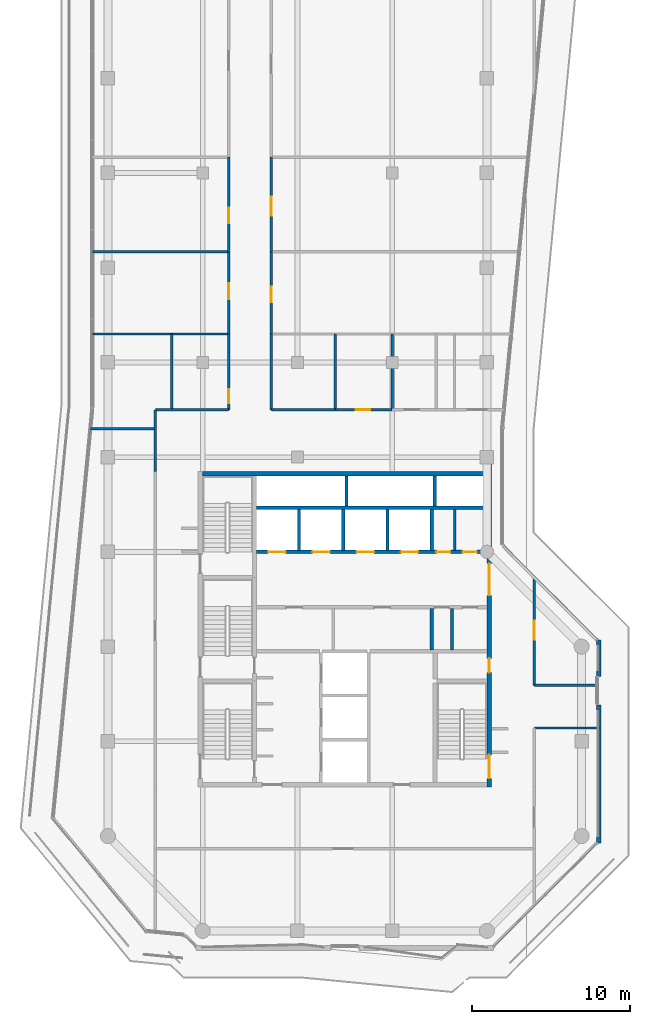
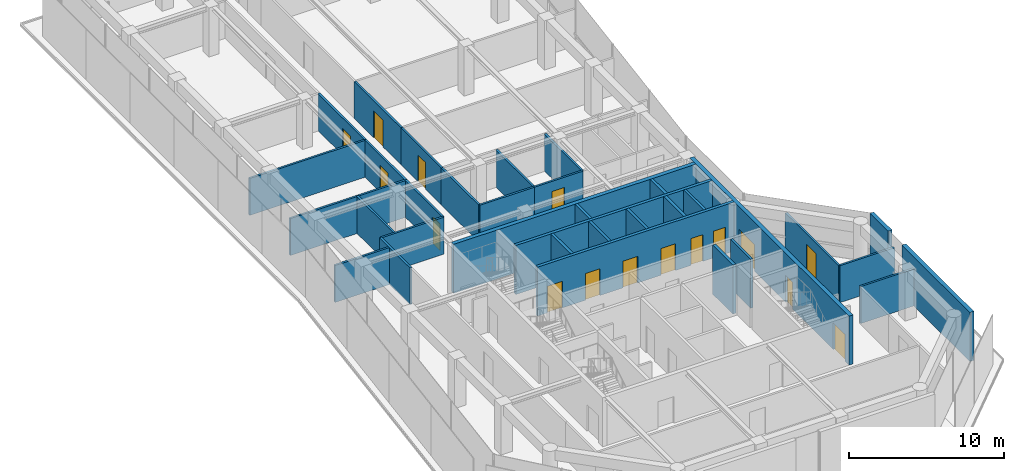
# One storey, part 22 of 25: 34 walls, 16 doors, 16 openings.
"""IFC4 building model written with IfcOpenShell, lengths in metres."""

from ifc_helpers import new_model, si_unit, direction, frame, frame_2d, origin, place, context, subcontext, project, spatial, rectangle, extrude, material, layer, layer_set, type_object, element, fill, save


model = new_model("IFC4")

# Units and contexts
model_context = context("Model", 3, precision=1e-05, world=origin(), true_north=direction((0.0, 1.0)))
body_context = subcontext(model_context, "Body", "Model", "MODEL_VIEW")
ifc_project = project(units=[si_unit("LENGTHUNIT", "METRE"), si_unit("AREAUNIT", "SQUARE_METRE"), si_unit("VOLUMEUNIT", "CUBIC_METRE"), si_unit("PLANEANGLEUNIT", "RADIAN"), si_unit("MASSUNIT", "GRAM", prefix="KILO")], contexts=[model_context])

# Site, building, storey
site_placement = place(None, origin())
site = spatial("IfcSite", under=ifc_project, at=site_placement, CompositionType="ELEMENT")
building_placement = place(site_placement, origin())
building = spatial("IfcBuilding", under=site, at=building_placement, Name="Welwitschia Terrace Campus", CompositionType="ELEMENT")
storey_placement = place(building_placement, frame((0.0, 0.0, 264.199951171875)))
storey = spatial("IfcBuildingStorey", under=building, at=storey_placement, Name="L58", CompositionType="ELEMENT", Elevation=264.199951171875)

# Walls
ifc_material_1 = material(Name="Concrete C32/40", Category="concrete")
ifc_layer_1 = layer(ifc_material_1, 0.175048828125)
ifc_layer_set_1 = layer_set([ifc_layer_1], Name="Concrete C32/40")
wall_type_1 = type_object("IfcWallType", Name="Core partition 175 Concrete C32/40", PredefinedType="PARTITIONING", material=ifc_layer_set_1)
for number, where, z_axis, x_axis, name in (
    (1, (21.7900390625, 13.800048828125, 0.0), (0.0, 0.0, 1.0), (0.0, 1.0, 0.0), "Core partition"),
    (2, (21.9599609375, 20.10009765625, 0.0), (0.0, 0.0, 1.0), (0.0, 1.0, 0.0), "Core partition"),
):
    element("IfcWall", number, at=place(storey_placement, frame(where, z_axis=z_axis, x_axis=x_axis)), inside=storey, type_object=wall_type_1, Name=name, PredefinedType="PARTITIONING", context=body_context, shape_type="SweptSolid", body=[
        extrude(rectangle(XDim=2.599853515625, YDim=0.175048828125, at=frame_2d((1.2998046875, 0.0))), origin(), (0.0, 0.0, 1.0), 3.85009765625),
    ])

# Wall, openings, doors
ifc_material_2 = material(Name="Concrete C32/40", Category="concrete")
ifc_layer_2 = layer(ifc_material_2, 0.22509765625)
ifc_layer_set_2 = layer_set([ifc_layer_2], Name="Concrete C32/40")
wall_type_2 = type_object("IfcWallType", Name="Core partition 225 Concrete C32/40", PredefinedType="PARTITIONING", material=ifc_layer_set_2)
wall_1_placement = place(storey_placement, frame((24.0, 20.0, 0.0), z_axis=(0.0, 0.0, 1.0), x_axis=(-1.0, 0.0, 0.0)))
wall_1 = element("IfcWall", 3, at=wall_1_placement, inside=storey, type_object=wall_type_2, Name="Shaft wall", PredefinedType="PARTITIONING", context=body_context, shape_type="SweptSolid", body=[
    extrude(rectangle(XDim=14.60009765625, YDim=0.22509765625, at=frame_2d((7.300048828125, 0.0))), origin(), (0.0, 0.0, 1.0), 3.85009765625),
])
opening_1_placement = place(wall_1_placement, frame((12.75, 0.0, 0.0)))
opening_1 = element("IfcOpeningElement", 4, at=opening_1_placement, cuts=wall_1, Name="Opening LD", PredefinedType="OPENING", context=body_context, shape_type="SweptSolid", body=[
    extrude(rectangle(XDim=1.10009765625, YDim=2.10009765625, at=frame_2d((0.550048828125, 1.050048828125))), frame((0.0, 0.12255859375, 0.0), z_axis=(0.0, -1.0, 0.0), x_axis=(1.0, 0.0, 0.0)), (0.0, 0.0, 1.0), 0.2451171875),
])
opening_2_placement = place(wall_1_placement, frame((9.949951171875, 0.0, 0.0)))
opening_2 = element("IfcOpeningElement", 5, at=opening_2_placement, cuts=wall_1, Name="Opening LD", PredefinedType="OPENING", context=body_context, shape_type="SweptSolid", body=[
    extrude(rectangle(XDim=1.10009765625, YDim=2.10009765625, at=frame_2d((0.550048828125, 1.050048828125))), frame((0.0, 0.12255859375, 0.0), z_axis=(0.0, -1.0, 0.0), x_axis=(1.0, 0.0, 0.0)), (0.0, 0.0, 1.0), 0.2451171875),
])
opening_3_placement = place(wall_1_placement, frame((7.14990234375, 0.0, 0.0)))
opening_3 = element("IfcOpeningElement", 6, at=opening_3_placement, cuts=wall_1, Name="Opening LD", PredefinedType="OPENING", context=body_context, shape_type="SweptSolid", body=[
    extrude(rectangle(XDim=1.10009765625, YDim=2.10009765625, at=frame_2d((0.550048828125, 1.050048828125))), frame((0.0, 0.12255859375, 0.0), z_axis=(0.0, -1.0, 0.0), x_axis=(1.0, 0.0, 0.0)), (0.0, 0.0, 1.0), 0.2451171875),
])
opening_4_placement = place(wall_1_placement, frame((4.35009765625, 0.0, 0.0)))
opening_4 = element("IfcOpeningElement", 7, at=opening_4_placement, cuts=wall_1, Name="Opening LD", PredefinedType="OPENING", context=body_context, shape_type="SweptSolid", body=[
    extrude(rectangle(XDim=1.10009765625, YDim=2.10009765625, at=frame_2d((0.550048828125, 1.050048828125))), frame((0.0, 0.12255859375, 0.0), z_axis=(0.0, -1.0, 0.0), x_axis=(1.0, 0.0, 0.0)), (0.0, 0.0, 1.0), 0.2451171875),
])
opening_5_placement = place(wall_1_placement, frame((2.3076171875, 0.0, 0.0)))
opening_5 = element("IfcOpeningElement", 8, at=opening_5_placement, cuts=wall_1, Name="Opening DR09", PredefinedType="OPENING", context=body_context, shape_type="SweptSolid", body=[
    extrude(rectangle(XDim=0.89990234375, YDim=2.10009765625, at=frame_2d((0.449951171875, 1.050048828125))), frame((0.0, 0.12255859375, 0.0), z_axis=(0.0, -1.0, 0.0), x_axis=(1.0, 0.0, 0.0)), (0.0, 0.0, 1.0), 0.2451171875),
])
opening_6_placement = place(wall_1_placement, frame((0.633056640625, 0.0, 0.0)))
opening_6 = element("IfcOpeningElement", 9, at=opening_6_placement, cuts=wall_1, Name="Opening DR09", PredefinedType="OPENING", context=body_context, shape_type="SweptSolid", body=[
    extrude(rectangle(XDim=0.89990234375, YDim=2.10009765625, at=frame_2d((0.449951171875, 1.050048828125))), frame((0.0, 0.12255859375, 0.0), z_axis=(0.0, -1.0, 0.0), x_axis=(1.0, 0.0, 0.0)), (0.0, 0.0, 1.0), 0.2451171875),
])
ifc_material_3 = material(Name="Steel S275", Category="steel")
door_type_1 = type_object("IfcDoorType", Name="Core door DR09", OperationType="SINGLE_SWING_LEFT", PredefinedType="DOOR", material=ifc_material_3)
door_1_placement = place(opening_5_placement, origin())
door_1 = element("IfcDoor", 10, at=door_1_placement, inside=storey, type_object=door_type_1, Name="Door EH1-D", OperationType="SINGLE_SWING_LEFT", OverallHeight=2.10009765625, OverallWidth=0.89990234375, PredefinedType="DOOR", context=body_context, shape_type="SweptSolid", body=[
    extrude(rectangle(XDim=0.89990234375, YDim=2.10009765625, at=frame_2d((0.449951171875, 1.050048828125))), frame((0.0, 0.02490234375, 0.0), z_axis=(0.0, -1.0, 0.0), x_axis=(1.0, 0.0, 0.0)), (0.0, 0.0, 1.0), 0.050048828125),
])
fill(opening_5, door_1)
door_2_placement = place(opening_6_placement, origin())
door_2 = element("IfcDoor", 11, at=door_2_placement, inside=storey, type_object=door_type_1, Name="Door EH2-D", OperationType="SINGLE_SWING_LEFT", OverallHeight=2.10009765625, OverallWidth=0.89990234375, PredefinedType="DOOR", context=body_context, shape_type="SweptSolid", body=[
    extrude(rectangle(XDim=0.89990234375, YDim=2.10009765625, at=frame_2d((0.449951171875, 1.050048828125))), frame((0.0, 0.02490234375, 0.0), z_axis=(0.0, -1.0, 0.0), x_axis=(1.0, 0.0, 0.0)), (0.0, 0.0, 1.0), 0.050048828125),
])
fill(opening_6, door_2)
ifc_material_4 = material(Name="Stainless steel 304", Category="steel")
door_type_2 = type_object("IfcDoorType", Name="Lift landing door", OperationType="DOUBLE_DOOR_SLIDING", PredefinedType="DOOR", material=ifc_material_4)
door_3_placement = place(opening_1_placement, origin())
door_3 = element("IfcDoor", 12, at=door_3_placement, inside=storey, type_object=door_type_2, Name="Landing door HR1", OperationType="DOUBLE_DOOR_SLIDING", OverallHeight=2.10009765625, OverallWidth=1.10009765625, PredefinedType="DOOR", context=body_context, shape_type="SweptSolid", body=[
    extrude(rectangle(XDim=1.10009765625, YDim=2.10009765625, at=frame_2d((0.550048828125, 1.050048828125))), frame((0.0, 0.02490234375, 0.0), z_axis=(0.0, -1.0, 0.0), x_axis=(1.0, 0.0, 0.0)), (0.0, 0.0, 1.0), 0.050048828125),
])
fill(opening_1, door_3)
door_4_placement = place(opening_2_placement, origin())
door_4 = element("IfcDoor", 13, at=door_4_placement, inside=storey, type_object=door_type_2, Name="Landing door HR2", OperationType="DOUBLE_DOOR_SLIDING", OverallHeight=2.10009765625, OverallWidth=1.10009765625, PredefinedType="DOOR", context=body_context, shape_type="SweptSolid", body=[
    extrude(rectangle(XDim=1.10009765625, YDim=2.10009765625, at=frame_2d((0.550048828125, 1.050048828125))), frame((0.0, 0.02490234375, 0.0), z_axis=(0.0, -1.0, 0.0), x_axis=(1.0, 0.0, 0.0)), (0.0, 0.0, 1.0), 0.050048828125),
])
fill(opening_2, door_4)
door_5_placement = place(opening_3_placement, origin())
door_5 = element("IfcDoor", 14, at=door_5_placement, inside=storey, type_object=door_type_2, Name="Landing door HR3", OperationType="DOUBLE_DOOR_SLIDING", OverallHeight=2.10009765625, OverallWidth=1.10009765625, PredefinedType="DOOR", context=body_context, shape_type="SweptSolid", body=[
    extrude(rectangle(XDim=1.10009765625, YDim=2.10009765625, at=frame_2d((0.550048828125, 1.050048828125))), frame((0.0, 0.02490234375, 0.0), z_axis=(0.0, -1.0, 0.0), x_axis=(1.0, 0.0, 0.0)), (0.0, 0.0, 1.0), 0.050048828125),
])
fill(opening_3, door_5)
door_6_placement = place(opening_4_placement, origin())
door_6 = element("IfcDoor", 15, at=door_6_placement, inside=storey, type_object=door_type_2, Name="Landing door HR4", OperationType="DOUBLE_DOOR_SLIDING", OverallHeight=2.10009765625, OverallWidth=1.10009765625, PredefinedType="DOOR", context=body_context, shape_type="SweptSolid", body=[
    extrude(rectangle(XDim=1.10009765625, YDim=2.10009765625, at=frame_2d((0.550048828125, 1.050048828125))), frame((0.0, 0.02490234375, 0.0), z_axis=(0.0, -1.0, 0.0), x_axis=(1.0, 0.0, 0.0)), (0.0, 0.0, 1.0), 0.050048828125),
])
fill(opening_4, door_6)

# Walls
wall_2_placement = place(storey_placement, frame((9.39990234375, 22.800048828125, 0.0), z_axis=(0.0, 0.0, 1.0), x_axis=(1.0, 0.0, 0.0)))
element("IfcWall", 16, at=wall_2_placement, inside=storey, type_object=wall_type_2, Name="Shaft wall", PredefinedType="PARTITIONING", context=body_context, shape_type="SweptSolid", body=[
    extrude(rectangle(XDim=14.60009765625, YDim=0.22509765625, at=frame_2d((7.300048828125, 0.0))), origin(), (0.0, 0.0, 1.0), 3.85009765625),
])
for number, where, z_axis, x_axis, name in (
    (17, (20.5, 13.800048828125, 0.0), (0.0, 0.0, 1.0), (0.0, 1.0, 0.0), "Core partition"),
    (18, (20.5, 20.10009765625, 0.0), (0.0, 0.0, 1.0), (0.0, 1.0, 0.0), "Shaft wall"),
):
    element("IfcWall", number, at=place(storey_placement, frame(where, z_axis=z_axis, x_axis=x_axis)), inside=storey, type_object=wall_type_2, Name=name, PredefinedType="PARTITIONING", context=body_context, shape_type="SweptSolid", body=[
        extrude(rectangle(XDim=2.599853515625, YDim=0.22509765625, at=frame_2d((1.2998046875, 0.0))), origin(), (0.0, 0.0, 1.0), 3.85009765625),
    ])
ifc_material_5 = material(Name="Concrete C50/60", Category="concrete")
ifc_layer_3 = layer(ifc_material_5, 0.199951171875)
ifc_layer_set_3 = layer_set([ifc_layer_3], Name="Concrete C50/60")
wall_type_3 = type_object("IfcWallType", Name="Core wall 200 Concrete C50/60", PredefinedType="SHEAR", material=ifc_layer_set_3)
for number, where, z_axis, x_axis, name in (
    (19, (15.10009765625, 22.89990234375, 0.0), (0.0, 0.0, 1.0), (0.0, 1.0, 0.0), "Core wall"),
    (20, (20.699951171875, 22.89990234375, 0.0), (0.0, 0.0, 1.0), (0.0, 1.0, 0.0), "Core wall"),
):
    element("IfcWall", number, at=place(storey_placement, frame(where, z_axis=z_axis, x_axis=x_axis)), inside=storey, type_object=wall_type_3, Name=name, PredefinedType="SHEAR", context=body_context, shape_type="SweptSolid", body=[
        extrude(rectangle(XDim=1.900146484375, YDim=0.199951171875, at=frame_2d((0.9501953125, 0.0))), origin(), (0.0, 0.0, 1.0), 3.85009765625),
    ])

# Wall, openings, doors
ifc_material_6 = material(Name="Concrete C50/60", Category="concrete")
ifc_layer_4 = layer(ifc_material_6, 0.300048828125)
ifc_layer_set_4 = layer_set([ifc_layer_4], Name="Concrete C50/60")
wall_type_4 = type_object("IfcWallType", Name="Core wall 300 Concrete C50/60", PredefinedType="SHEAR", material=ifc_layer_set_4)
wall_3_placement = place(storey_placement, frame((24.14990234375, 25.60498046875, 0.0), z_axis=(0.0, 0.0, 1.0), x_axis=(0.0, -1.0, 0.0)))
wall_3 = element("IfcWall", 21, at=wall_3_placement, inside=storey, type_object=wall_type_4, Name="Core outer wall", PredefinedType="SHEAR", context=body_context, shape_type="SweptSolid", body=[
    extrude(rectangle(XDim=20.5048828125, YDim=0.300048828125, at=frame_2d((10.25244140625, 0.0))), origin(), (0.0, 0.0, 1.0), 3.85009765625),
])
opening_7_placement = place(wall_3_placement, frame((18.455078125, 0.0, 0.0)))
opening_7 = element("IfcOpeningElement", 22, at=opening_7_placement, cuts=wall_3, Name="Opening DS15", PredefinedType="OPENING", context=body_context, shape_type="SweptSolid", body=[
    extrude(rectangle(XDim=1.5, YDim=2.10009765625, at=frame_2d((0.75, 1.050048828125))), frame((0.0, 0.159912109375, 0.0), z_axis=(0.0, -1.0, 0.0), x_axis=(1.0, 0.0, 0.0)), (0.0, 0.0, 1.0), 0.320068359375),
])
opening_8_placement = place(wall_3_placement, frame((12.35498046875, 0.0, 0.0)))
opening_8 = element("IfcOpeningElement", 23, at=opening_8_placement, cuts=wall_3, Name="Opening DR09", PredefinedType="OPENING", context=body_context, shape_type="SweptSolid", body=[
    extrude(rectangle(XDim=0.89990234375, YDim=2.10009765625, at=frame_2d((0.449951171875, 1.050048828125))), frame((0.0, 0.159912109375, 0.0), z_axis=(0.0, -1.0, 0.0), x_axis=(1.0, 0.0, 0.0)), (0.0, 0.0, 1.0), 0.320068359375),
])
opening_9_placement = place(wall_3_placement, frame((6.35498046875, 0.0, 0.0)))
opening_9 = element("IfcOpeningElement", 24, at=opening_9_placement, cuts=wall_3, Name="Opening DL20", PredefinedType="OPENING", context=body_context, shape_type="SweptSolid", body=[
    extrude(rectangle(XDim=2.0, YDim=2.10009765625, at=frame_2d((1.0, 1.050048828125))), frame((0.0, 0.159912109375, 0.0), z_axis=(0.0, -1.0, 0.0), x_axis=(1.0, 0.0, 0.0)), (0.0, 0.0, 1.0), 0.320068359375),
])
ifc_material_7 = material(Name="Steel S275", Category="steel")
door_type_3 = type_object("IfcDoorType", Name="Core door DL20", OperationType="DOUBLE_DOOR_SINGLE_SWING", PredefinedType="DOOR", material=ifc_material_7)
door_7_placement = place(opening_9_placement, origin())
door_7 = element("IfcDoor", 25, at=door_7_placement, inside=storey, type_object=door_type_3, Name="Door LOBBY-out", OperationType="DOUBLE_DOOR_SINGLE_SWING", OverallHeight=2.10009765625, OverallWidth=2.0, PredefinedType="DOOR", context=body_context, shape_type="SweptSolid", body=[
    extrude(rectangle(XDim=2.0, YDim=2.10009765625, at=frame_2d((1.0, 1.050048828125))), frame((0.0, 0.02490234375, 0.0), z_axis=(0.0, -1.0, 0.0), x_axis=(1.0, 0.0, 0.0)), (0.0, 0.0, 1.0), 0.050048828125),
])
fill(opening_9, door_7)
door_8_placement = place(opening_8_placement, origin())
door_8 = element("IfcDoor", 26, at=door_8_placement, inside=storey, type_object=door_type_1, Name="Door F1B-out", OperationType="SINGLE_SWING_RIGHT", OverallHeight=2.10009765625, OverallWidth=0.89990234375, PredefinedType="DOOR", context=body_context, shape_type="SweptSolid", body=[
    extrude(rectangle(XDim=0.89990234375, YDim=2.10009765625, at=frame_2d((0.449951171875, 1.050048828125))), frame((0.0, 0.02490234375, 0.0), z_axis=(0.0, -1.0, 0.0), x_axis=(1.0, 0.0, 0.0)), (0.0, 0.0, 1.0), 0.050048828125),
])
fill(opening_8, door_8)
ifc_material_8 = material(Name="Steel S275", Category="steel")
door_type_4 = type_object("IfcDoorType", Name="Core door DS15", OperationType="DOUBLE_DOOR_SINGLE_SWING", PredefinedType="DOOR", material=ifc_material_8)
door_9_placement = place(opening_7_placement, origin())
door_9 = element("IfcDoor", 27, at=door_9_placement, inside=storey, type_object=door_type_4, Name="Door S2-out", OperationType="DOUBLE_DOOR_SINGLE_SWING", OverallHeight=2.10009765625, OverallWidth=1.5, PredefinedType="DOOR", context=body_context, shape_type="SweptSolid", body=[
    extrude(rectangle(XDim=1.5, YDim=2.10009765625, at=frame_2d((0.75, 1.050048828125))), frame((0.0, 0.02490234375, 0.0), z_axis=(0.0, -1.0, 0.0), x_axis=(1.0, 0.0, 0.0)), (0.0, 0.0, 1.0), 0.050048828125),
])
fill(opening_7, door_9)

# Walls
wall_4_placement = place(storey_placement, frame((6.0, 24.949951171875, 0.0), z_axis=(0.0, 0.0, 1.0), x_axis=(1.0, 0.0, 0.0)))
element("IfcWall", 28, at=wall_4_placement, inside=storey, type_object=wall_type_4, Name="Core outer wall", PredefinedType="SHEAR", context=body_context, shape_type="SweptSolid", body=[
    extrude(rectangle(XDim=18.0, YDim=0.300048828125, at=frame_2d((9.0, 0.0))), origin(), (0.0, 0.0, 1.0), 3.85009765625),
])
ifc_material_9 = material(Name="Gypsum board on steel studs", Category="steel")
ifc_layer_5 = layer(ifc_material_9, 0.14990234375)
ifc_layer_set_5 = layer_set([ifc_layer_5], Name="Gypsum board on steel studs")
wall_type_5 = type_object("IfcWallType", Name="Corridor partition 150 EI 30", PredefinedType="PARTITIONING", material=ifc_layer_set_5)
wall_5_placement = place(storey_placement, frame((-1.110107421875, 27.800048828125, 0.0), z_axis=(0.0, 0.0, 1.0), x_axis=(1.0, 0.0, 0.0)))
element("IfcWall", 29, at=wall_5_placement, inside=storey, type_object=wall_type_5, Name="Partition", PredefinedType="PARTITIONING", context=body_context, shape_type="SweptSolid", body=[
    extrude(rectangle(XDim=4.110107421875, YDim=0.14990234375, at=frame_2d((2.05517578125, 0.0))), origin(), (0.0, 0.0, 1.0), 2.900146484375),
])
for number, where, z_axis, x_axis, name in (
    (30, (-0.97998046875, 33.800048828125, 0.0), (0.0, 0.0, 1.0), (1.0, 0.0, 0.0), "Partition"),
    (31, (-0.97998046875, 39.0, 0.0), (0.0, 0.0, 1.0), (1.0, 0.0, 0.0), "Partition"),
):
    element("IfcWall", number, at=place(storey_placement, frame(where, z_axis=z_axis, x_axis=x_axis)), inside=storey, type_object=wall_type_5, Name=name, PredefinedType="PARTITIONING", context=body_context, shape_type="SweptSolid", body=[
        extrude(rectangle(XDim=8.6298828125, YDim=0.14990234375, at=frame_2d((4.31494140625, 0.0))), origin(), (0.0, 0.0, 1.0), 2.900146484375),
    ])
wall_6_placement = place(storey_placement, frame((3.0, 25.10009765625, 0.0), z_axis=(0.0, 0.0, 1.0), x_axis=(0.0, 1.0, 0.0)))
element("IfcWall", 32, at=wall_6_placement, inside=storey, type_object=wall_type_5, Name="Partition", PredefinedType="PARTITIONING", context=body_context, shape_type="SweptSolid", body=[
    extrude(rectangle(XDim=3.89990234375, YDim=0.14990234375, at=frame_2d((1.949951171875, 0.0))), origin(), (0.0, 0.0, 1.0), 2.900146484375),
])
wall_7_placement = place(storey_placement, frame((3.0, 29.0, 0.0), z_axis=(0.0, 0.0, 1.0), x_axis=(1.0, 0.0, 0.0)))
element("IfcWall", 33, at=wall_7_placement, inside=storey, type_object=wall_type_5, Name="Partition", PredefinedType="PARTITIONING", context=body_context, shape_type="SweptSolid", body=[
    extrude(rectangle(XDim=4.64990234375, YDim=0.14990234375, at=frame_2d((2.324951171875, 0.0))), origin(), (0.0, 0.0, 1.0), 2.900146484375),
])
wall_8_placement = place(storey_placement, frame((4.050048828125, 29.0, 0.0), z_axis=(0.0, 0.0, 1.0), x_axis=(0.0, 1.0, 0.0)))
element("IfcWall", 34, at=wall_8_placement, inside=storey, type_object=wall_type_5, Name="Partition", PredefinedType="PARTITIONING", context=body_context, shape_type="SweptSolid", body=[
    extrude(rectangle(XDim=4.800048828125, YDim=0.14990234375, at=frame_2d((2.39990234375, 0.0))), origin(), (0.0, 0.0, 1.0), 2.900146484375),
])

# Wall, opening, door
wall_9_placement = place(storey_placement, frame((7.64990234375, 29.0, 0.0), z_axis=(0.0, 0.0, 1.0), x_axis=(0.0, 1.0, 0.0)))
wall_9 = element("IfcWall", 35, at=wall_9_placement, inside=storey, type_object=wall_type_5, Name="Partition", PredefinedType="PARTITIONING", context=body_context, shape_type="SweptSolid", body=[
    extrude(rectangle(XDim=4.800048828125, YDim=0.14990234375, at=frame_2d((2.39990234375, 0.0))), origin(), (0.0, 0.0, 1.0), 2.900146484375),
])
opening_10_placement = place(wall_9_placement, frame((0.39990234375, 0.0, 0.0)))
opening_10 = element("IfcOpeningElement", 36, at=opening_10_placement, cuts=wall_9, Name="Opening DI09", PredefinedType="OPENING", context=body_context, shape_type="SweptSolid", body=[
    extrude(rectangle(XDim=0.89990234375, YDim=2.10009765625, at=frame_2d((0.449951171875, 1.050048828125))), frame((0.0, 0.0849609375, 0.0), z_axis=(0.0, -1.0, 0.0), x_axis=(1.0, 0.0, 0.0)), (0.0, 0.0, 1.0), 0.169921875),
])
ifc_material_10 = material(Name="Timber veneered door", Category="wood")
door_type_5 = type_object("IfcDoorType", Name="Interior door DI09", OperationType="NOTDEFINED", PredefinedType="DOOR", material=ifc_material_10)
door_10_placement = place(opening_10_placement, origin())
door_10 = element("IfcDoor", 37, at=door_10_placement, inside=storey, type_object=door_type_5, Name="Door L58 1041", OperationType="SINGLE_SWING_RIGHT", OverallHeight=2.10009765625, OverallWidth=0.89990234375, PredefinedType="DOOR", context=body_context, shape_type="SweptSolid", body=[
    extrude(rectangle(XDim=0.89990234375, YDim=2.10009765625, at=frame_2d((0.449951171875, 1.050048828125))), frame((0.0, 0.02490234375, 0.0), z_axis=(0.0, -1.0, 0.0), x_axis=(1.0, 0.0, 0.0)), (0.0, 0.0, 1.0), 0.050048828125),
])
fill(opening_10, door_10)

wall_10_placement = place(storey_placement, frame((7.64990234375, 33.800048828125, 0.0), z_axis=(0.0, 0.0, 1.0), x_axis=(0.0, 1.0, 0.0)))
wall_10 = element("IfcWall", 38, at=wall_10_placement, inside=storey, type_object=wall_type_5, Name="Partition", PredefinedType="PARTITIONING", context=body_context, shape_type="SweptSolid", body=[
    extrude(rectangle(XDim=5.199951171875, YDim=0.14990234375, at=frame_2d((2.60009765625, 0.0))), origin(), (0.0, 0.0, 1.0), 2.900146484375),
])
opening_11_placement = place(wall_10_placement, frame((2.199951171875, 0.0, 0.0)))
opening_11 = element("IfcOpeningElement", 39, at=opening_11_placement, cuts=wall_10, Name="Opening DI10", PredefinedType="OPENING", context=body_context, shape_type="SweptSolid", body=[
    extrude(rectangle(XDim=1.0, YDim=2.10009765625, at=frame_2d((0.5, 1.050048828125))), frame((0.0, 0.0849609375, 0.0), z_axis=(0.0, -1.0, 0.0), x_axis=(1.0, 0.0, 0.0)), (0.0, 0.0, 1.0), 0.169921875),
])
ifc_material_11 = material(Name="Timber veneered door", Category="wood")
door_type_6 = type_object("IfcDoorType", Name="Interior door DI10", OperationType="NOTDEFINED", PredefinedType="DOOR", material=ifc_material_11)
door_11_placement = place(opening_11_placement, origin())
door_11 = element("IfcDoor", 40, at=door_11_placement, inside=storey, type_object=door_type_6, Name="Door L58 1042", OperationType="SINGLE_SWING_LEFT", OverallHeight=2.10009765625, OverallWidth=1.0, PredefinedType="DOOR", context=body_context, shape_type="SweptSolid", body=[
    extrude(rectangle(XDim=1.0, YDim=2.10009765625, at=frame_2d((0.5, 1.050048828125))), frame((0.0, 0.02490234375, 0.0), z_axis=(0.0, -1.0, 0.0), x_axis=(1.0, 0.0, 0.0)), (0.0, 0.0, 1.0), 0.050048828125),
])
fill(opening_11, door_11)

wall_11_placement = place(storey_placement, frame((7.64990234375, 39.0, 0.0), z_axis=(0.0, 0.0, 1.0), x_axis=(0.0, 1.0, 0.0)))
wall_11 = element("IfcWall", 41, at=wall_11_placement, inside=storey, type_object=wall_type_5, Name="Partition", PredefinedType="PARTITIONING", context=body_context, shape_type="SweptSolid", body=[
    extrude(rectangle(XDim=6.0, YDim=0.14990234375, at=frame_2d((3.0, 0.0))), origin(), (0.0, 0.0, 1.0), 2.900146484375),
])
opening_12_placement = place(wall_11_placement, frame((1.800048828125, 0.0, 0.0)))
opening_12 = element("IfcOpeningElement", 42, at=opening_12_placement, cuts=wall_11, Name="Opening DI10", PredefinedType="OPENING", context=body_context, shape_type="SweptSolid", body=[
    extrude(rectangle(XDim=1.0, YDim=2.10009765625, at=frame_2d((0.5, 1.050048828125))), frame((0.0, 0.0849609375, 0.0), z_axis=(0.0, -1.0, 0.0), x_axis=(1.0, 0.0, 0.0)), (0.0, 0.0, 1.0), 0.169921875),
])
door_12_placement = place(opening_12_placement, origin())
door_12 = element("IfcDoor", 43, at=door_12_placement, inside=storey, type_object=door_type_6, Name="Door L58 1043", OperationType="SINGLE_SWING_RIGHT", OverallHeight=2.10009765625, OverallWidth=1.0, PredefinedType="DOOR", context=body_context, shape_type="SweptSolid", body=[
    extrude(rectangle(XDim=1.0, YDim=2.10009765625, at=frame_2d((0.5, 1.050048828125))), frame((0.0, 0.02490234375, 0.0), z_axis=(0.0, -1.0, 0.0), x_axis=(1.0, 0.0, 0.0)), (0.0, 0.0, 1.0), 0.050048828125),
])
fill(opening_12, door_12)

# Walls
wall_12_placement = place(storey_placement, frame((10.35009765625, 29.0, 0.0), z_axis=(0.0, 0.0, 1.0), x_axis=(0.0, 1.0, 0.0)))
element("IfcWall", 44, at=wall_12_placement, inside=storey, type_object=wall_type_5, Name="Partition", PredefinedType="PARTITIONING", context=body_context, shape_type="SweptSolid", body=[
    extrude(rectangle(XDim=4.800048828125, YDim=0.14990234375, at=frame_2d((2.39990234375, 0.0))), origin(), (0.0, 0.0, 1.0), 2.900146484375),
])
wall_13_placement = place(storey_placement, frame((10.35009765625, 29.0, 0.0), z_axis=(0.0, 0.0, 1.0), x_axis=(1.0, 0.0, 0.0)))
element("IfcWall", 45, at=wall_13_placement, inside=storey, type_object=wall_type_5, Name="Partition", PredefinedType="PARTITIONING", context=body_context, shape_type="SweptSolid", body=[
    extrude(rectangle(XDim=4.0498046875, YDim=0.14990234375, at=frame_2d((2.02490234375, 0.0))), origin(), (0.0, 0.0, 1.0), 2.900146484375),
])

# Wall, opening, door
wall_14_placement = place(storey_placement, frame((10.35009765625, 39.0, 0.0), z_axis=(0.0, 0.0, 1.0), x_axis=(0.0, -1.0, 0.0)))
wall_14 = element("IfcWall", 46, at=wall_14_placement, inside=storey, type_object=wall_type_5, Name="Partition", PredefinedType="PARTITIONING", context=body_context, shape_type="SweptSolid", body=[
    extrude(rectangle(XDim=5.199951171875, YDim=0.14990234375, at=frame_2d((2.60009765625, 0.0))), origin(), (0.0, 0.0, 1.0), 2.900146484375),
])
opening_13_placement = place(wall_14_placement, frame((2.199951171875, 0.0, 0.0)))
opening_13 = element("IfcOpeningElement", 47, at=opening_13_placement, cuts=wall_14, Name="Opening DI10", PredefinedType="OPENING", context=body_context, shape_type="SweptSolid", body=[
    extrude(rectangle(XDim=1.0, YDim=2.10009765625, at=frame_2d((0.5, 1.050048828125))), frame((0.0, 0.0849609375, 0.0), z_axis=(0.0, -1.0, 0.0), x_axis=(1.0, 0.0, 0.0)), (0.0, 0.0, 1.0), 0.169921875),
])
door_13_placement = place(opening_13_placement, origin())
door_13 = element("IfcDoor", 48, at=door_13_placement, inside=storey, type_object=door_type_6, Name="Door L58 1046", OperationType="SINGLE_SWING_LEFT", OverallHeight=2.10009765625, OverallWidth=1.0, PredefinedType="DOOR", context=body_context, shape_type="SweptSolid", body=[
    extrude(rectangle(XDim=1.0, YDim=2.10009765625, at=frame_2d((0.5, 1.050048828125))), frame((0.0, 0.02490234375, 0.0), z_axis=(0.0, -1.0, 0.0), x_axis=(1.0, 0.0, 0.0)), (0.0, 0.0, 1.0), 0.050048828125),
])
fill(opening_13, door_13)

wall_15_placement = place(storey_placement, frame((10.35009765625, 39.0, 0.0), z_axis=(0.0, 0.0, 1.0), x_axis=(0.0, 1.0, 0.0)))
wall_15 = element("IfcWall", 49, at=wall_15_placement, inside=storey, type_object=wall_type_5, Name="Partition", PredefinedType="PARTITIONING", context=body_context, shape_type="SweptSolid", body=[
    extrude(rectangle(XDim=6.0, YDim=0.14990234375, at=frame_2d((3.0, 0.0))), origin(), (0.0, 0.0, 1.0), 2.900146484375),
])
opening_14_placement = place(wall_15_placement, frame((2.300048828125, 0.0, 0.0)))
opening_14 = element("IfcOpeningElement", 50, at=opening_14_placement, cuts=wall_15, Name="Opening DI12", PredefinedType="OPENING", context=body_context, shape_type="SweptSolid", body=[
    extrude(rectangle(XDim=1.199951171875, YDim=2.10009765625, at=frame_2d((0.60009765625, 1.050048828125))), frame((0.0, 0.0849609375, 0.0), z_axis=(0.0, -1.0, 0.0), x_axis=(1.0, 0.0, 0.0)), (0.0, 0.0, 1.0), 0.169921875),
])
ifc_material_12 = material(Name="Timber veneered door", Category="wood")
door_type_7 = type_object("IfcDoorType", Name="Interior door DI12", OperationType="NOTDEFINED", PredefinedType="DOOR", material=ifc_material_12)
door_14_placement = place(opening_14_placement, origin())
door_14 = element("IfcDoor", 51, at=door_14_placement, inside=storey, type_object=door_type_7, Name="Door L58 1047", OperationType="SINGLE_SWING_RIGHT", OverallHeight=2.10009765625, OverallWidth=1.199951171875, PredefinedType="DOOR", context=body_context, shape_type="SweptSolid", body=[
    extrude(rectangle(XDim=1.199951171875, YDim=2.10009765625, at=frame_2d((0.60009765625, 1.050048828125))), frame((0.0, 0.02490234375, 0.0), z_axis=(0.0, -1.0, 0.0), x_axis=(1.0, 0.0, 0.0)), (0.0, 0.0, 1.0), 0.050048828125),
])
fill(opening_14, door_14)

# Wall
wall_16_placement = place(storey_placement, frame((14.39990234375, 29.0, 0.0), z_axis=(0.0, 0.0, 1.0), x_axis=(0.0, 1.0, 0.0)))
element("IfcWall", 52, at=wall_16_placement, inside=storey, type_object=wall_type_5, Name="Partition", PredefinedType="PARTITIONING", context=body_context, shape_type="SweptSolid", body=[
    extrude(rectangle(XDim=4.800048828125, YDim=0.14990234375, at=frame_2d((2.39990234375, 0.0))), origin(), (0.0, 0.0, 1.0), 2.900146484375),
])

# Wall, opening, door
wall_17_placement = place(storey_placement, frame((14.39990234375, 29.0, 0.0), z_axis=(0.0, 0.0, 1.0), x_axis=(1.0, 0.0, 0.0)))
wall_17 = element("IfcWall", 53, at=wall_17_placement, inside=storey, type_object=wall_type_5, Name="Partition", PredefinedType="PARTITIONING", context=body_context, shape_type="SweptSolid", body=[
    extrude(rectangle(XDim=3.60009765625, YDim=0.14990234375, at=frame_2d((1.800048828125, 0.0))), origin(), (0.0, 0.0, 1.0), 2.900146484375),
])
opening_15_placement = place(wall_17_placement, frame((1.300048828125, 0.0, 0.0)))
opening_15 = element("IfcOpeningElement", 54, at=opening_15_placement, cuts=wall_17, Name="Opening DI09", PredefinedType="OPENING", context=body_context, shape_type="SweptSolid", body=[
    extrude(rectangle(XDim=0.89990234375, YDim=2.10009765625, at=frame_2d((0.449951171875, 1.050048828125))), frame((0.0, 0.0849609375, 0.0), z_axis=(0.0, -1.0, 0.0), x_axis=(1.0, 0.0, 0.0)), (0.0, 0.0, 1.0), 0.169921875),
])
door_15_placement = place(opening_15_placement, origin())
door_15 = element("IfcDoor", 55, at=door_15_placement, inside=storey, type_object=door_type_5, Name="Door L58 1050", OperationType="SINGLE_SWING_LEFT", OverallHeight=2.10009765625, OverallWidth=0.89990234375, PredefinedType="DOOR", context=body_context, shape_type="SweptSolid", body=[
    extrude(rectangle(XDim=0.89990234375, YDim=2.10009765625, at=frame_2d((0.449951171875, 1.050048828125))), frame((0.0, 0.02490234375, 0.0), z_axis=(0.0, -1.0, 0.0), x_axis=(1.0, 0.0, 0.0)), (0.0, 0.0, 1.0), 0.050048828125),
])
fill(opening_15, door_15)

# Walls
wall_18_placement = place(storey_placement, frame((18.0, 29.0, 0.0), z_axis=(0.0, 0.0, 1.0), x_axis=(0.0, 1.0, 0.0)))
element("IfcWall", 56, at=wall_18_placement, inside=storey, type_object=wall_type_5, Name="Partition", PredefinedType="PARTITIONING", context=body_context, shape_type="SweptSolid", body=[
    extrude(rectangle(XDim=4.800048828125, YDim=0.14990234375, at=frame_2d((2.39990234375, 0.0))), origin(), (0.0, 0.0, 1.0), 2.900146484375),
])
wall_19_placement = place(storey_placement, frame((27.0, 8.85009765625, 0.0), z_axis=(0.0, 0.0, 1.0), x_axis=(1.0, 0.0, 0.0)))
element("IfcWall", 57, at=wall_19_placement, inside=storey, type_object=wall_type_5, Name="Partition", PredefinedType="PARTITIONING", context=body_context, shape_type="SweptSolid", body=[
    extrude(rectangle(XDim=4.090087890625, YDim=0.14990234375, at=frame_2d((2.044921875, 0.0))), origin(), (0.0, 0.0, 1.0), 2.900146484375),
])

# Wall, opening, door
wall_20_placement = place(storey_placement, frame((27.0, 11.550048828125, 0.0), z_axis=(0.0, 0.0, 1.0), x_axis=(0.0, 1.0, 0.0)))
wall_20 = element("IfcWall", 58, at=wall_20_placement, inside=storey, type_object=wall_type_5, Name="Partition", PredefinedType="PARTITIONING", context=body_context, shape_type="SweptSolid", body=[
    extrude(rectangle(XDim=6.829833984375, YDim=0.14990234375, at=frame_2d((3.4150390625, 0.0))), origin(), (0.0, 0.0, 1.0), 2.900146484375),
])
opening_16_placement = place(wall_20_placement, frame((2.89990234375, 0.0, 0.0)))
opening_16 = element("IfcOpeningElement", 59, at=opening_16_placement, cuts=wall_20, Name="Opening DI12", PredefinedType="OPENING", context=body_context, shape_type="SweptSolid", body=[
    extrude(rectangle(XDim=1.199951171875, YDim=2.10009765625, at=frame_2d((0.60009765625, 1.050048828125))), frame((0.0, 0.0849609375, 0.0), z_axis=(0.0, -1.0, 0.0), x_axis=(1.0, 0.0, 0.0)), (0.0, 0.0, 1.0), 0.169921875),
])
door_16_placement = place(opening_16_placement, origin())
door_16 = element("IfcDoor", 60, at=door_16_placement, inside=storey, type_object=door_type_7, Name="Door L58 1055", OperationType="SINGLE_SWING_RIGHT", OverallHeight=2.10009765625, OverallWidth=1.199951171875, PredefinedType="DOOR", context=body_context, shape_type="SweptSolid", body=[
    extrude(rectangle(XDim=1.199951171875, YDim=2.10009765625, at=frame_2d((0.60009765625, 1.050048828125))), frame((0.0, 0.02490234375, 0.0), z_axis=(0.0, -1.0, 0.0), x_axis=(1.0, 0.0, 0.0)), (0.0, 0.0, 1.0), 0.050048828125),
])
fill(opening_16, door_16)

# Walls
wall_21_placement = place(storey_placement, frame((27.0, 11.550048828125, 0.0), z_axis=(0.0, 0.0, 1.0), x_axis=(1.0, 0.0, 0.0)))
element("IfcWall", 61, at=wall_21_placement, inside=storey, type_object=wall_type_5, Name="Partition", PredefinedType="PARTITIONING", context=body_context, shape_type="SweptSolid", body=[
    extrude(rectangle(XDim=4.090087890625, YDim=0.14990234375, at=frame_2d((2.044921875, 0.0))), origin(), (0.0, 0.0, 1.0), 2.900146484375),
])
ifc_material_13 = material(Name="Concrete C40/50", Category="concrete")
ifc_layer_6 = layer(ifc_material_13, 0.300048828125)
ifc_layer_set_6 = layer_set([ifc_layer_6], Name="Concrete C40/50")
wall_type_6 = type_object("IfcWallType", Name="Mass wall 300", PredefinedType="SOLIDWALL", material=ifc_layer_set_6)
wall_22_placement = place(storey_placement, frame((31.07958984375, 1.573486328125, 0.0), z_axis=(0.0, 0.0, 1.0), x_axis=(0.0, 1.0, 0.0)))
element("IfcWall", 62, at=wall_22_placement, inside=storey, type_object=wall_type_6, Name="Mass wall L58.7.0", PredefinedType="SOLIDWALL", context=body_context, shape_type="SweptSolid", body=[
    extrude(rectangle(XDim=8.73974609375, YDim=0.300048828125, at=frame_2d((4.369873046875, 0.0))), origin(), (0.0, 0.0, 1.0), 3.85009765625),
])
wall_23_placement = place(storey_placement, frame((31.07958984375, 12.11328125, 0.0), z_axis=(0.0, 0.0, 1.0), x_axis=(0.0, 1.0, 0.0)))
element("IfcWall", 63, at=wall_23_placement, inside=storey, type_object=wall_type_6, Name="Mass wall L58.7.1", PredefinedType="SOLIDWALL", context=body_context, shape_type="SweptSolid", body=[
    extrude(rectangle(XDim=2.313232421875, YDim=0.300048828125, at=frame_2d((1.15673828125, 0.0))), origin(), (0.0, 0.0, 1.0), 3.85009765625),
])
ifc_material_14 = material(Name="Concrete C32/40", Category="concrete")
ifc_layer_7 = layer(ifc_material_14, 0.199951171875)
ifc_layer_set_7 = layer_set([ifc_layer_7], Name="Concrete C32/40")
wall_type_7 = type_object("IfcWallType", Name="Shaft wall 200 Concrete C32/40", PredefinedType="SOLIDWALL", material=ifc_layer_set_7)
for number, where, z_axis, x_axis, name in (
    (64, (12.10009765625, 20.10009765625, 0.0), (0.0, 0.0, 1.0), (0.0, 1.0, 0.0), "Shaft wall"),
    (65, (14.89990234375, 20.10009765625, 0.0), (0.0, 0.0, 1.0), (0.0, 1.0, 0.0), "Shaft wall"),
    (66, (17.699951171875, 20.10009765625, 0.0), (0.0, 0.0, 1.0), (0.0, 1.0, 0.0), "Shaft wall"),
):
    element("IfcWall", number, at=place(storey_placement, frame(where, z_axis=z_axis, x_axis=x_axis)), inside=storey, type_object=wall_type_7, Name=name, PredefinedType="SOLIDWALL", context=body_context, shape_type="SweptSolid", body=[
        extrude(rectangle(XDim=2.599853515625, YDim=0.199951171875, at=frame_2d((1.2998046875, 0.0))), origin(), (0.0, 0.0, 1.0), 3.85009765625),
    ])

save(model, "model.ifc")
